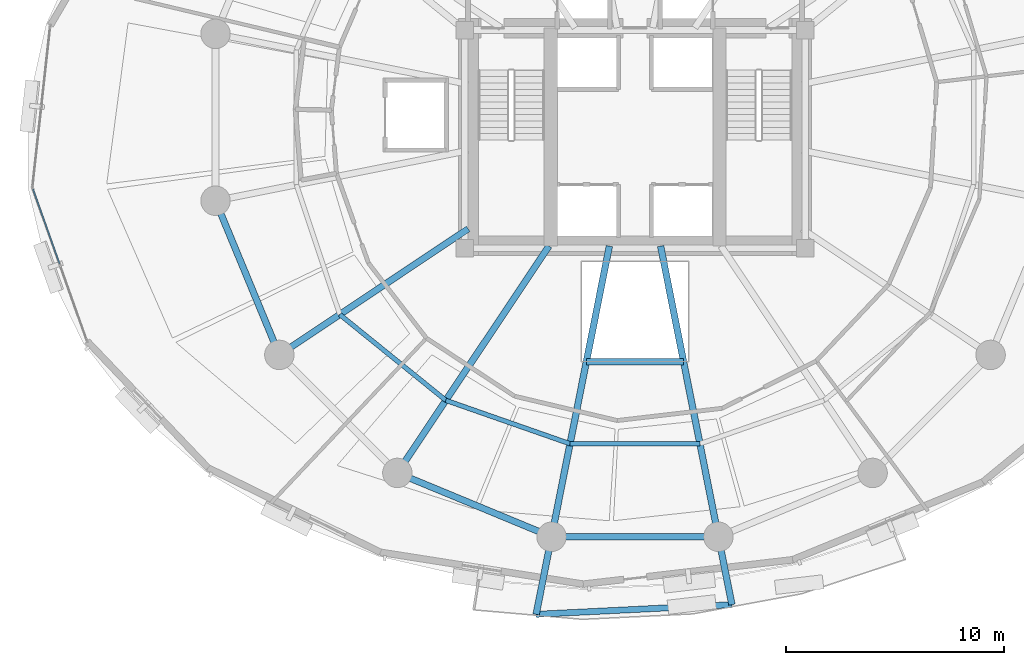
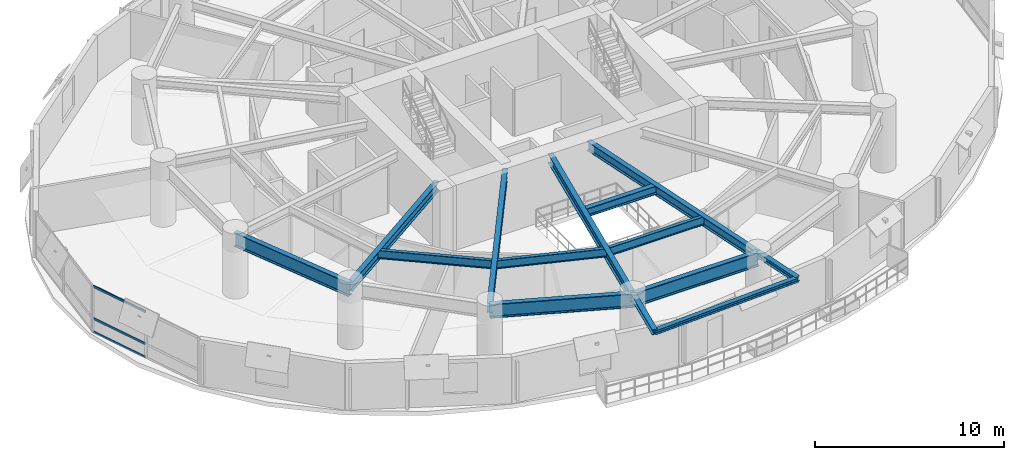
# One storey, part 3 of 17: 14 beams, 3 members, 1 element without a shape of its own.
"""IFC4 building model written with IfcOpenShell, lengths in metres."""

from ifc_helpers import new_model, si_unit, direction, frame, origin, origin_2d, place, context, subcontext, project, spatial, hollow_rectangle, i_section, extrude, material, layer, layer_set, material_profile, profile_set, type_object, element, aggregate, save


model = new_model("IFC4")

# Units and contexts
model_context = context("Model", 3, precision=1e-05, world=origin(), true_north=direction((0.0, 1.0)))
body_context = subcontext(model_context, "Body", "Model", "MODEL_VIEW")
ifc_project = project(units=[si_unit("LENGTHUNIT", "METRE"), si_unit("AREAUNIT", "SQUARE_METRE"), si_unit("VOLUMEUNIT", "CUBIC_METRE"), si_unit("PLANEANGLEUNIT", "RADIAN"), si_unit("MASSUNIT", "GRAM", prefix="KILO"), si_unit("THERMODYNAMICTEMPERATUREUNIT", "KELVIN"), si_unit("POWERUNIT", "WATT")], contexts=[model_context])

# Site, building, storey
site_placement = place(None, origin())
site = spatial("IfcSite", under=ifc_project, at=site_placement, CompositionType="ELEMENT")
building_placement = place(site_placement, origin())
building = spatial("IfcBuilding", under=site, at=building_placement, Name="Ocrelia Relay Tower", CompositionType="ELEMENT")
storey_placement = place(building_placement, frame((0.0, 0.0, 59.39990234375)))
storey = spatial("IfcBuildingStorey", under=building, at=storey_placement, Name="L13", CompositionType="ELEMENT", Elevation=59.39990234375)

# Beams
ifc_material_1 = material(Name="Steel S355", Category="steel")
ifc_material_profile_1 = material_profile(ifc_material_1, i_section(OverallWidth=0.280029296875, OverallDepth=0.27001953125, WebThickness=0.008056640625, FlangeThickness=0.012939453125, FilletRadius=0.02392578125, at=origin_2d()), Name="HEA 280")
ifc_profile_set_1 = profile_set([ifc_material_profile_1], Name="Steel S355")
beam_type_1 = type_object("IfcBeamType", Name="BM-HEA280", PredefinedType="BEAM", material=ifc_profile_set_1)
beam_1_placement = place(storey_placement, frame((29.46923828125, 3.22216796875, 3.78515625), z_axis=(0.998780303219, 0.049375154699, 0.0), x_axis=(-0.049375154699, 0.998780303219, 0.0)))
element("IfcBeam", 1, at=beam_1_placement, inside=storey, type_object=beam_type_1, Name="L14 Balcony Edge Trimmer Beam B2", PredefinedType="BEAM", context=body_context, shape_type="SweptSolid", body=[
    extrude(i_section(OverallWidth=0.280029296875, OverallDepth=0.27001953125, WebThickness=0.008056640625, FlangeThickness=0.012939453125, FilletRadius=0.02392578125, at=origin_2d()), origin(), (0.0, 0.0, 1.0), 8.984375),
])
ifc_material_profile_2 = material_profile(ifc_material_1, i_section(OverallWidth=0.300048828125, OverallDepth=0.330078125, WebThickness=0.009521484375, FlangeThickness=0.0166015625, FilletRadius=0.027099609375, at=origin_2d()), Name="HEA 340")
ifc_profile_set_2 = profile_set([ifc_material_profile_2], Name="Steel S355")
beam_type_2 = type_object("IfcBeamType", Name="BM-HEA340", PredefinedType="BEAM", material=ifc_profile_set_2)
beam_2_placement = place(storey_placement, frame((30.17626953125, 6.776611328125, 3.755126953125), z_axis=(-0.195092579941, -0.980784831271, 0.0), x_axis=(0.980784831271, -0.195092579941, 0.0)))
element("IfcBeam", 2, at=beam_2_placement, inside=storey, type_object=beam_type_2, Name="L14 Balcony Cantilever Beam B2-1", PredefinedType="BEAM", context=body_context, shape_type="SweptSolid", body=[
    extrude(i_section(OverallWidth=0.300048828125, OverallDepth=0.330078125, WebThickness=0.009521484375, FlangeThickness=0.0166015625, FilletRadius=0.027099609375, at=origin_2d()), origin(), (0.0, 0.0, 1.0), 3.6240234375),
])
beam_3_placement = place(storey_placement, frame((37.82373046875, 6.776611328125, 3.755126953125), z_axis=(0.195124278901, -0.980778525348, 0.0), x_axis=(0.980778525348, 0.195124278901, 0.0)))
element("IfcBeam", 3, at=beam_3_placement, inside=storey, type_object=beam_type_2, Name="L14 Balcony Cantilever Beam B2-2", PredefinedType="BEAM", context=body_context, shape_type="SweptSolid", body=[
    extrude(i_section(OverallWidth=0.300048828125, OverallDepth=0.330078125, WebThickness=0.009521484375, FlangeThickness=0.0166015625, FilletRadius=0.027099609375, at=origin_2d()), origin(), (0.0, 0.0, 1.0), 3.171875),
])
ifc_material_profile_3 = material_profile(ifc_material_1, i_section(OverallWidth=0.300048828125, OverallDepth=0.550048828125, WebThickness=0.014892578125, FlangeThickness=0.029052734375, FilletRadius=0.027099609375, at=origin_2d()), Name="HEB 550")
ifc_profile_set_3 = profile_set([ifc_material_profile_3], Name="Steel S355")
beam_type_3 = type_object("IfcBeamType", Name="BM-HEB550", PredefinedType="BEAM", material=ifc_profile_set_3)
beam_4_placement = place(storey_placement, frame((31.772216796875, 14.800048828125, 3.64501953125), z_axis=(1.0, 0.0, 0.0), x_axis=(0.0, 1.0, 0.0)))
element("IfcBeam", 4, at=beam_4_placement, inside=storey, type_object=beam_type_3, Name="L13 Atrium South Trimmer Beam", PredefinedType="BEAM", context=body_context, shape_type="SweptSolid", body=[
    extrude(i_section(OverallWidth=0.300048828125, OverallDepth=0.550048828125, WebThickness=0.014892578125, FlangeThickness=0.029052734375, FilletRadius=0.027099609375, at=origin_2d()), origin(), (0.0, 0.0, 1.0), 4.45556640625),
])
ifc_material_profile_4 = material_profile(ifc_material_1, i_section(OverallWidth=0.300048828125, OverallDepth=0.60009765625, WebThickness=0.015380859375, FlangeThickness=0.030029296875, FilletRadius=0.027099609375, at=origin_2d()), Name="HEB 600")
ifc_profile_set_4 = profile_set([ifc_material_profile_4], Name="Steel S355")
beam_type_4 = type_object("IfcBeamType", Name="BM-HEB600", PredefinedType="BEAM", material=ifc_profile_set_4)
beam_5_placement = place(storey_placement, frame((17.703125, 15.11083984375, 3.6201171875), z_axis=(0.83146868639, 0.555571618743, 0.0), x_axis=(-0.555571618743, 0.83146868639, 0.0)))
element("IfcBeam", 5, at=beam_5_placement, inside=storey, type_object=beam_type_4, Name="L13 Radial Floor Girder R10", PredefinedType="BEAM", context=body_context, shape_type="SweptSolid", body=[
    extrude(i_section(OverallWidth=0.300048828125, OverallDepth=0.60009765625, WebThickness=0.015380859375, FlangeThickness=0.030029296875, FilletRadius=0.027099609375, at=origin_2d()), origin(), (0.0, 0.0, 1.0), 10.405517578125),
])
beam_6_placement = place(storey_placement, frame((23.11083984375, 9.703125, 3.6201171875), z_axis=(0.555569912646, 0.831469826369, 0.0), x_axis=(-0.831469826369, 0.555569912646, 0.0)))
element("IfcBeam", 6, at=beam_6_placement, inside=storey, type_object=beam_type_4, Name="L13 Radial Floor Girder R11", PredefinedType="BEAM", context=body_context, shape_type="SweptSolid", body=[
    extrude(i_section(OverallWidth=0.300048828125, OverallDepth=0.60009765625, WebThickness=0.015380859375, FlangeThickness=0.030029296875, FilletRadius=0.027099609375, at=origin_2d()), origin(), (0.0, 0.0, 1.0), 12.498046875),
])
for number, where, z_axis, x_axis, name in (
    (7, (30.17626953125, 6.776611328125, 3.6201171875), (0.195089155229, 0.980785512491, 0.0), (-0.980785512491, 0.195089155229, 0.0), "L13 Radial Floor Girder R12"),
    (8, (37.82373046875, 6.776611328125, 3.6201171875), (-0.195089155229, 0.980785512491, 0.0), (-0.980785512491, -0.195089155229, 0.0), "L13 Radial Floor Girder R13"),
):
    element("IfcBeam", number, at=place(storey_placement, frame(where, z_axis=z_axis, x_axis=x_axis)), inside=storey, type_object=beam_type_4, Name=name, PredefinedType="BEAM", context=body_context, shape_type="SweptSolid", body=[
        extrude(i_section(OverallWidth=0.300048828125, OverallDepth=0.60009765625, WebThickness=0.015380859375, FlangeThickness=0.030029296875, FilletRadius=0.027099609375, at=origin_2d()), origin(), (0.0, 0.0, 1.0), 13.579345703125),
    ])
ifc_material_profile_5 = material_profile(ifc_material_1, i_section(OverallWidth=0.300048828125, OverallDepth=0.89990234375, WebThickness=0.0185546875, FlangeThickness=0.034912109375, FilletRadius=0.030029296875, at=origin_2d()), Name="HEB 900")
ifc_profile_set_5 = profile_set([ifc_material_profile_5], Name="Steel S355")
beam_type_5 = type_object("IfcBeamType", Name="BM-HEB900", PredefinedType="BEAM", material=ifc_profile_set_5)
for number, where, z_axis, x_axis, name in (
    (9, (14.776611328125, 22.17626953125, 3.47021484375), (0.382674154222, -0.923883375589, 0.0), (0.923883375589, 0.382674154222, 0.0), "L13 Perimeter Spandrel Beam S09"),
    (10, (23.11083984375, 9.703125, 3.47021484375), (0.923883375589, -0.382674154222, 0.0), (0.382674154222, 0.923883375589, 0.0), "L13 Perimeter Spandrel Beam S11"),
    (11, (30.17626953125, 6.776611328125, 3.47021484375), (1.0, 0.0, 0.0), (0.0, 1.0, 0.0), "L13 Perimeter Spandrel Beam S12"),
):
    element("IfcBeam", number, at=place(storey_placement, frame(where, z_axis=z_axis, x_axis=x_axis)), inside=storey, type_object=beam_type_5, Name=name, PredefinedType="BEAM", context=body_context, shape_type="SweptSolid", body=[
        extrude(i_section(OverallWidth=0.300048828125, OverallDepth=0.89990234375, WebThickness=0.0185546875, FlangeThickness=0.034912109375, FilletRadius=0.030029296875, at=origin_2d()), origin(), (0.0, 0.0, 1.0), 7.6474609375),
    ])
ifc_material_profile_6 = material_profile(ifc_material_1, i_section(OverallWidth=0.2099609375, OverallDepth=0.550048828125, WebThickness=0.010986328125, FlangeThickness=0.01708984375, FilletRadius=0.02392578125, at=origin_2d()), Name="IPE 550")
ifc_profile_set_6 = profile_set([ifc_material_profile_6], Name="Steel S355")
beam_type_6 = type_object("IfcBeamType", Name="BM-IPE550", PredefinedType="JOIST", material=ifc_profile_set_6)
beam_7_placement = place(storey_placement, frame((20.4716796875, 16.960693359375, 3.64501953125), z_axis=(0.77748215158, -0.628905003935, 0.0), x_axis=(0.628905003935, 0.77748215158, 0.0)))
element("IfcBeam", 12, at=beam_7_placement, inside=storey, type_object=beam_type_6, Name="L13 Secondary Floor Joist J10", PredefinedType="JOIST", context=body_context, shape_type="SweptSolid", body=[
    extrude(i_section(OverallWidth=0.2099609375, OverallDepth=0.550048828125, WebThickness=0.010986328125, FlangeThickness=0.01708984375, FilletRadius=0.02392578125, at=origin_2d()), origin(), (0.0, 0.0, 1.0), 6.25244140625),
])
beam_8_placement = place(storey_placement, frame((25.332763671875, 13.028564453125, 3.64501953125), z_axis=(0.943957429675, -0.330067221882, 0.0), x_axis=(0.330067221882, 0.943957429675, 0.0)))
element("IfcBeam", 13, at=beam_8_placement, inside=storey, type_object=beam_type_6, Name="L13 Secondary Floor Joist J11", PredefinedType="JOIST", context=body_context, shape_type="SweptSolid", body=[
    extrude(i_section(OverallWidth=0.2099609375, OverallDepth=0.550048828125, WebThickness=0.010986328125, FlangeThickness=0.01708984375, FilletRadius=0.02392578125, at=origin_2d()), origin(), (0.0, 0.0, 1.0), 6.029052734375),
])
beam_9_placement = place(storey_placement, frame((31.02392578125, 11.03857421875, 3.64501953125), z_axis=(1.0, 0.0, 0.0), x_axis=(0.0, 1.0, 0.0)))
element("IfcBeam", 14, at=beam_9_placement, inside=storey, type_object=beam_type_6, Name="L13 Secondary Floor Joist J12", PredefinedType="JOIST", context=body_context, shape_type="SweptSolid", body=[
    extrude(i_section(OverallWidth=0.2099609375, OverallDepth=0.550048828125, WebThickness=0.010986328125, FlangeThickness=0.01708984375, FilletRadius=0.02392578125, at=origin_2d()), origin(), (0.0, 0.0, 1.0), 5.9521484375),
])

# Curtain wall, members
ifc_material_2 = material(Name="Aluminium and solar-control low-E glass", Category="aluminium")
ifc_layer = layer(ifc_material_2, 0.179931640625, Name="Aluminium and solar-control low-E glass")
ifc_layer_set = layer_set([ifc_layer], Name="Aluminium and solar-control low-E glass")
curtain_wall_type = type_object("IfcCurtainWallType", Name="CW-SYS-Z1-DATA", PredefinedType="NOTDEFINED", material=ifc_layer_set)
curtain_wall_placement = place(storey_placement, origin())
curtain_wall = element("IfcCurtainWall", 15, at=curtain_wall_placement, inside=storey, type_object=curtain_wall_type, Name="L13 Elliptical Tower Curtain Wall Bay 10", PredefinedType="NOTDEFINED")
ifc_material_3 = material(Name="Anodised bronze aluminium", Category="aluminium")
ifc_material_profile_7 = material_profile(ifc_material_3, hollow_rectangle(XDim=0.06494140625, YDim=0.139892578125, WallThickness=0.0048828125, at=origin_2d()), Name="CW-TRN-140x65")
ifc_profile_set_7 = profile_set([ifc_material_profile_7], Name="Anodised bronze aluminium")
member_type = type_object("IfcMemberType", Name="CW-SYS-Z1-DATA-TRN", PredefinedType="USERDEFINED", material=ifc_profile_set_7)
member_1_placement = place(storey_placement, frame((6.410400390625, 22.714599609375, 0.03271484375), z_axis=(0.335638068475, -0.941991022776, 0.0), x_axis=(0.941991022776, 0.335638068475, 0.0)))
member_1 = element("IfcMember", 16, at=member_1_placement, type_object=member_type, Name="CW-Z1 transom 1.1", ObjectType="TRANSOM", PredefinedType="USERDEFINED", context=body_context, shape_type="SweptSolid", body=[
    extrude(hollow_rectangle(XDim=0.06494140625, YDim=0.139892578125, WallThickness=0.0048828125, at=origin_2d()), origin(), (0.0, 0.0, 1.0), 3.632568359375),
])
member_2_placement = place(storey_placement, frame((6.410400390625, 22.714599609375, 0.900146484375), z_axis=(0.335638068475, -0.941991022776, 0.0), x_axis=(0.941991022776, 0.335638068475, 0.0)))
member_2 = element("IfcMember", 17, at=member_2_placement, type_object=member_type, Name="CW-Z1 transom 1.2", ObjectType="TRANSOM", PredefinedType="USERDEFINED", context=body_context, shape_type="SweptSolid", body=[
    extrude(hollow_rectangle(XDim=0.06494140625, YDim=0.139892578125, WallThickness=0.0048828125, at=origin_2d()), origin(), (0.0, 0.0, 1.0), 3.632568359375),
])
member_3_placement = place(storey_placement, frame((6.410400390625, 22.714599609375, 2.967529296875), z_axis=(0.335638068475, -0.941991022776, 0.0), x_axis=(0.941991022776, 0.335638068475, 0.0)))
member_3 = element("IfcMember", 18, at=member_3_placement, type_object=member_type, Name="CW-Z1 transom 1.3", ObjectType="TRANSOM", PredefinedType="USERDEFINED", context=body_context, shape_type="SweptSolid", body=[
    extrude(hollow_rectangle(XDim=0.06494140625, YDim=0.139892578125, WallThickness=0.0048828125, at=origin_2d()), origin(), (0.0, 0.0, 1.0), 3.632568359375),
])
aggregate(curtain_wall, [member_1, member_2, member_3])

save(model, "model.ifc")
